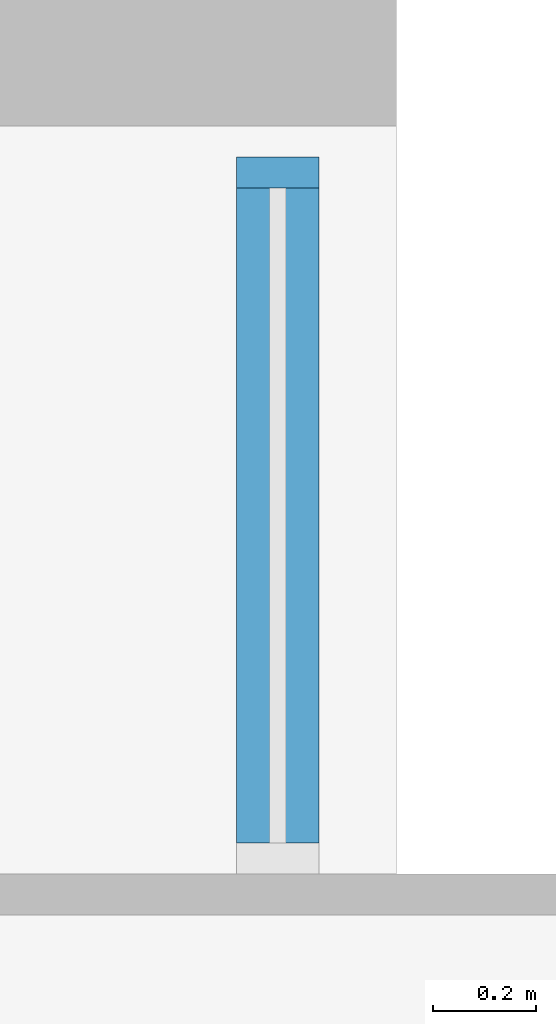
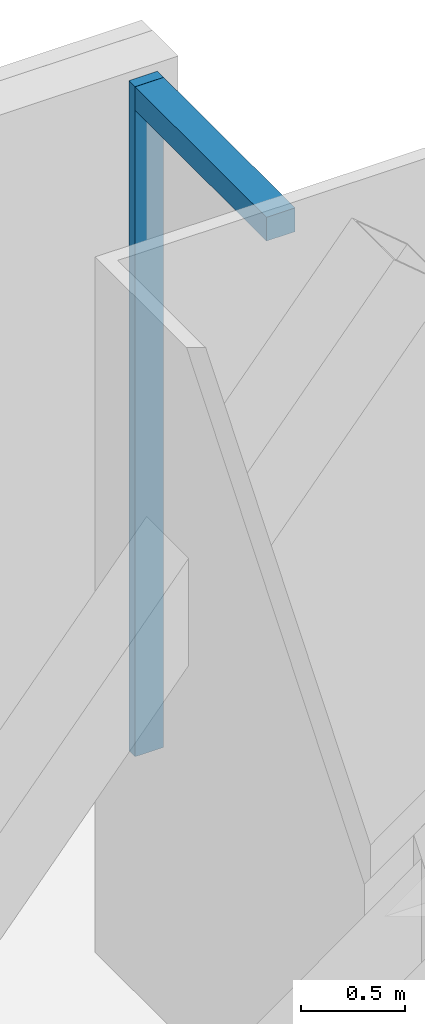
# One storey, part 13 of 21: 2 members, 1 element without a shape of its own.
"""IFC4 building model written with IfcOpenShell, lengths in metres."""

from ifc_helpers import new_model, si_unit, direction, frame, origin, origin_2d, place, context, subcontext, project, spatial, rectangle, extrude, material, material_profile, profile_set, type_object, element, aggregate, save


model = new_model("IFC4")

# Units and contexts
model_context = context("Model", 3, precision=1e-05, world=origin(), true_north=direction((0.0, 1.0)))
body_context = subcontext(model_context, "Body", "Model", "MODEL_VIEW")
ifc_project = project(units=[si_unit("LENGTHUNIT", "METRE"), si_unit("AREAUNIT", "SQUARE_METRE"), si_unit("VOLUMEUNIT", "CUBIC_METRE"), si_unit("PLANEANGLEUNIT", "RADIAN"), si_unit("MASSUNIT", "GRAM", prefix="KILO")], contexts=[model_context])

# Site, building, storey
site_placement = place(None, origin())
site = spatial("IfcSite", under=ifc_project, at=site_placement, CompositionType="ELEMENT")
building_placement = place(site_placement, origin())
building = spatial("IfcBuilding", under=site, at=building_placement, Name="Bicima Exchange Tower", CompositionType="ELEMENT")
storey_placement = place(building_placement, frame((0.0, 0.0, 165.0)))
storey = spatial("IfcBuildingStorey", under=building, at=storey_placement, Name="L36", CompositionType="ELEMENT", Elevation=165.0)

# Curtain wall, members
ifc_material = material(Name="Anodised bronze aluminium", Category="aluminium")
curtain_wall_type = type_object("IfcCurtainWallType", Name="Front glass wall", PredefinedType="NOTDEFINED", material=ifc_material)
curtain_wall_placement = place(storey_placement, origin())
curtain_wall = element("IfcCurtainWall", 1, at=curtain_wall_placement, inside=storey, type_object=curtain_wall_type, Name="Front glass wall L36 run 20", PredefinedType="NOTDEFINED")
ifc_material_profile_1 = material_profile(ifc_material, rectangle(XDim=0.159912109375, YDim=0.06005859375, at=origin_2d()))
ifc_profile_set_1 = profile_set([ifc_material_profile_1], Name="Anodised bronze aluminium")
member_type_1 = type_object("IfcMemberType", Name="Front glass wall mullion 60 x 160", PredefinedType="MULLION", material=ifc_profile_set_1)
member_1_placement = place(storey_placement, frame((32.77001953125, -0.340087890625, 0.0), z_axis=(0.0, 0.0, 1.0), x_axis=(-1.0, 0.0, 0.0)))
member_1 = element("IfcMember", 2, at=member_1_placement, type_object=member_type_1, Name="Front glass wall mullion 2", PredefinedType="MULLION", context=body_context, shape_type="SweptSolid", body=[
    extrude(rectangle(XDim=0.159912109375, YDim=0.06005859375, at=origin_2d()), origin(), (0.0, 0.0, 1.0), 3.949951171875),
])
ifc_material_profile_2 = material_profile(ifc_material, rectangle(XDim=0.159912109375, YDim=0.139892578125, at=origin_2d()))
ifc_profile_set_2 = profile_set([ifc_material_profile_2], Name="Anodised bronze aluminium")
member_type_2 = type_object("IfcMemberType", Name="Front glass wall transom 140 x 160", PredefinedType="USERDEFINED", material=ifc_profile_set_2)
member_2_placement = place(storey_placement, frame((32.77001953125, -1.639892578125, 3.8798828125), z_axis=(0.0, 1.0, 0.0), x_axis=(-1.0, 0.0, 0.0)))
member_2 = element("IfcMember", 3, at=member_2_placement, type_object=member_type_2, Name="Front glass wall transom 1.1", ObjectType="TRANSOM", PredefinedType="USERDEFINED", context=body_context, shape_type="SweptSolid", body=[
    extrude(rectangle(XDim=0.159912109375, YDim=0.139892578125, at=origin_2d()), origin(), (0.0, 0.0, 1.0), 1.269775390625),
])
aggregate(curtain_wall, [member_1, member_2])

save(model, "model.ifc")
